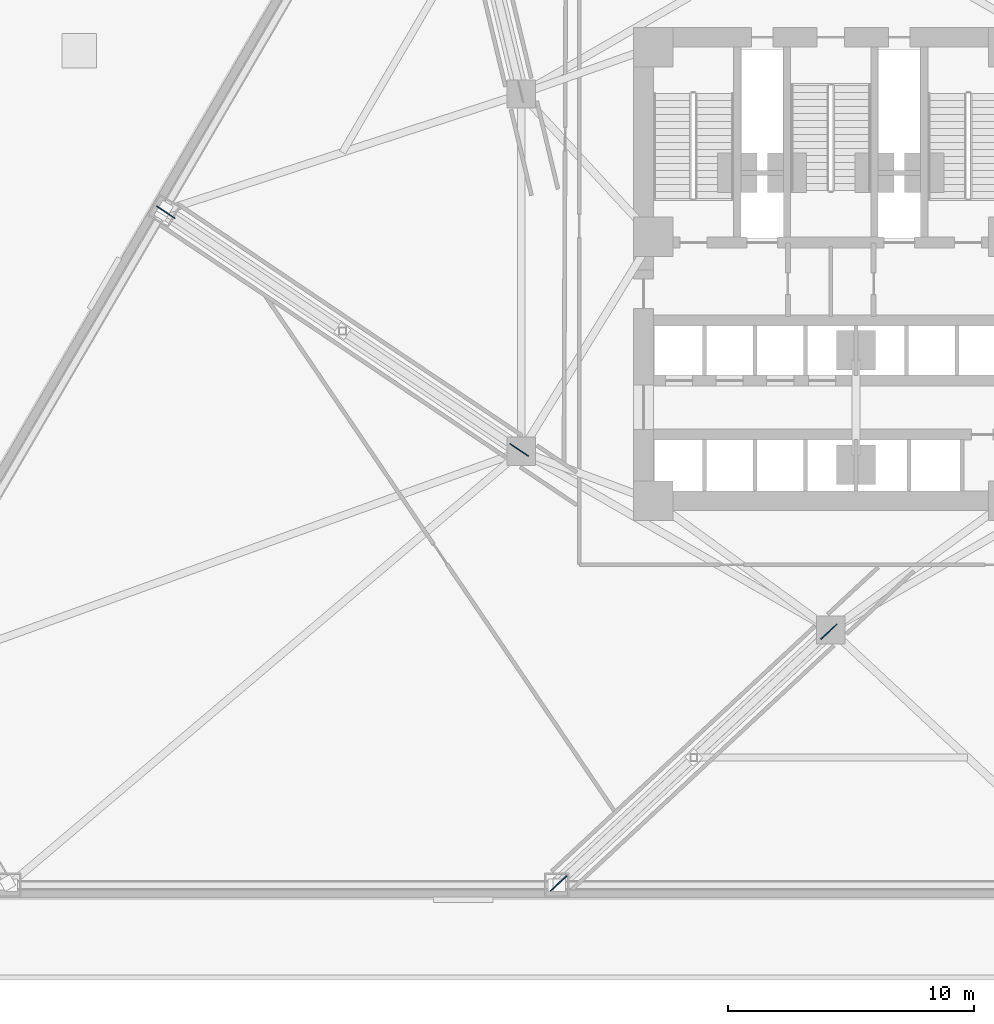
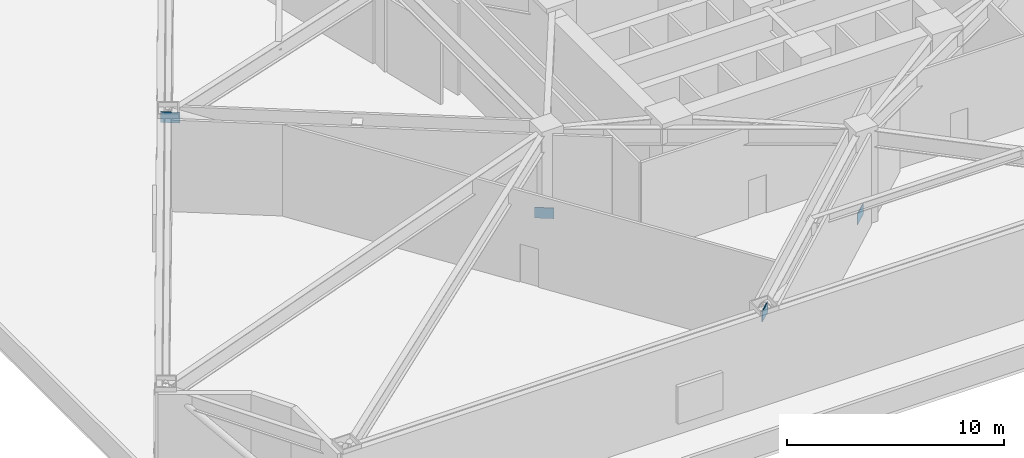
# One storey, part 8 of 23: 4 plates.
"""IFC4 building model written with IfcOpenShell, lengths in metres."""

from ifc_helpers import new_model, si_unit, direction, frame, origin, origin_2d, place, context, subcontext, project, spatial, rectangle, extrude, material, layer, layer_set, type_object, element, save


model = new_model("IFC4")

# Units and contexts
model_context = context("Model", 3, precision=1e-05, world=origin(), true_north=direction((0.0, 1.0)))
body_context = subcontext(model_context, "Body", "Model", "MODEL_VIEW")
ifc_project = project(units=[si_unit("LENGTHUNIT", "METRE"), si_unit("AREAUNIT", "SQUARE_METRE"), si_unit("VOLUMEUNIT", "CUBIC_METRE"), si_unit("PLANEANGLEUNIT", "RADIAN"), si_unit("MASSUNIT", "GRAM", prefix="KILO")], contexts=[model_context])

# Site, building, storey
site_placement = place(None, origin())
site = spatial("IfcSite", under=ifc_project, at=site_placement, CompositionType="ELEMENT")
building_placement = place(site_placement, origin())
building = spatial("IfcBuilding", under=site, at=building_placement, Name="Apsidion Concourse Tower", CompositionType="ELEMENT")
storey_placement = place(building_placement, frame((0.0, 0.0, 29.0)))
storey = spatial("IfcBuildingStorey", under=building, at=storey_placement, Name="L05", CompositionType="ELEMENT", Elevation=29.0)

# Plates
ifc_material = material(Name="Structural steel ASTM A572 Grade 50", Category="steel")
ifc_layer = layer(ifc_material, 0.0400390625)
ifc_layer_set = layer_set([ifc_layer], Name="Structural steel ASTM A572 Grade 50")
plate_type = type_object("IfcPlateType", Name="PL-GUSSET-40", PredefinedType="SHEET", material=ifc_layer_set)
for number, where, z_axis, x_axis, name in (
    (1, (-12.64306640625, -7.194091796875, 0.02001953125), (0.0, 0.0, 1.0), (-0.829720136676, 0.558179625922, 0.0), "L05 Outrigger Inner Node Gusset Plate ONA-01"),
    (2, (-26.982177734375, 2.450439453125, 4.570068359375), (0.0, 0.0, 1.0), (-0.829720136676, 0.558179625922, 0.0), "L05 Outrigger Outer Node Gusset Plate ONB-01"),
    (3, (-0.0732421875, -14.568115234375, 0.02001953125), (0.0, 0.0, 1.0), (0.731948578909, 0.681359873953, 0.0), "L05 Outrigger Inner Node Gusset Plate ONA-06"),
    (4, (-11.04345703125, -24.781982421875, 4.570068359375), (0.0, 0.0, 1.0), (0.731948578909, 0.681359873953, 0.0), "L05 Outrigger Outer Node Gusset Plate ONB-06"),
):
    element("IfcPlate", number, at=place(storey_placement, frame(where, z_axis=z_axis, x_axis=x_axis)), inside=storey, type_object=plate_type, Name=name, PredefinedType="SHEET", context=body_context, shape_type="SweptSolid", body=[
        extrude(rectangle(XDim=0.89990234375, YDim=0.0400390625, at=origin_2d()), origin(), (0.0, 0.0, 1.0), 0.60009765625),
    ])

save(model, "model.ifc")
